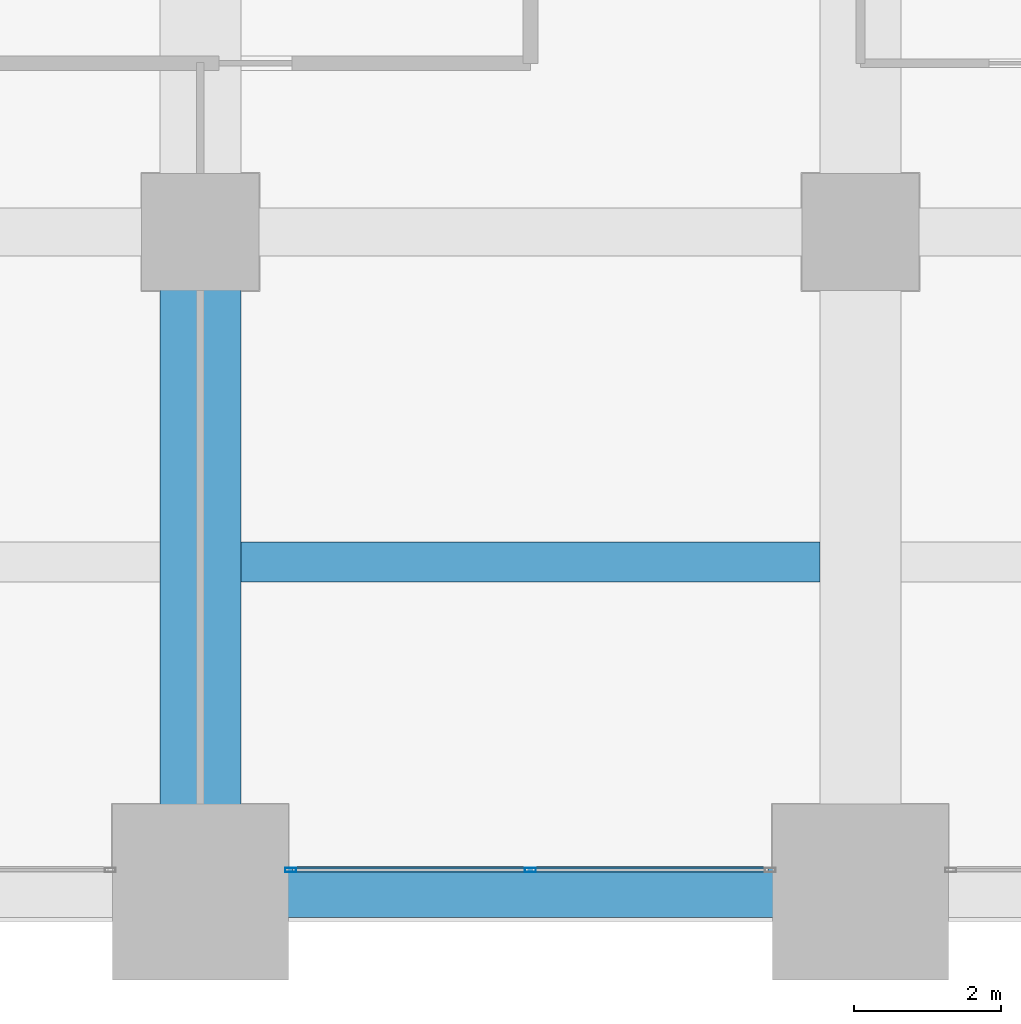
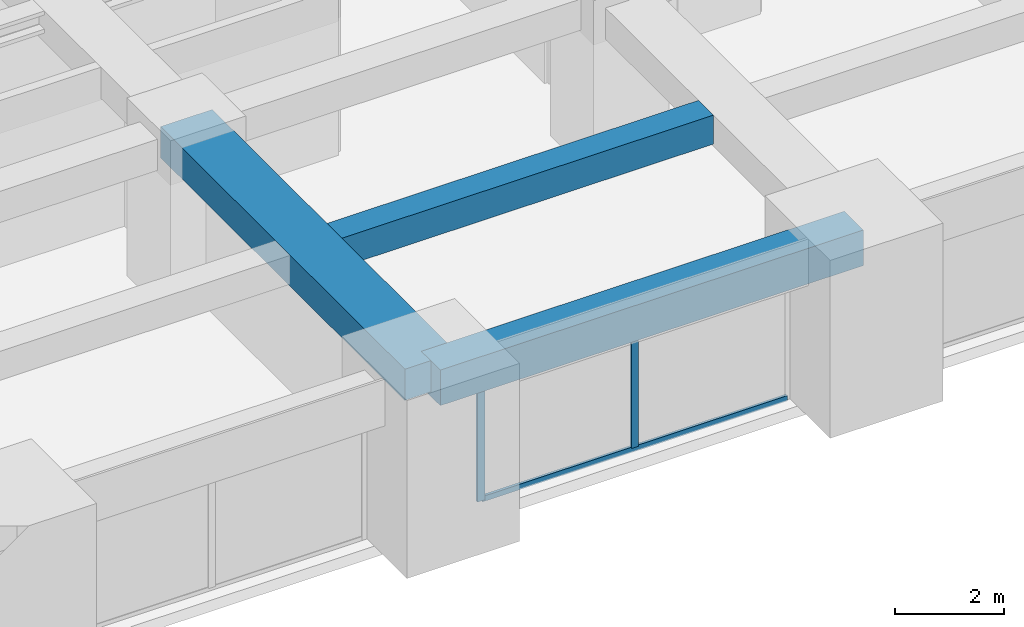
# One storey, part 7 of 32: 3 beams, 3 members, 1 element without a shape of its own.
"""IFC4 building model written with IfcOpenShell, lengths in metres."""

from ifc_helpers import new_model, si_unit, direction, frame, origin, origin_2d, place, context, subcontext, project, spatial, rectangle, hollow_rectangle, extrude, material, material_profile, profile_set, type_object, element, aggregate, save


model = new_model("IFC4")

# Units and contexts
model_context = context("Model", 3, precision=1e-05, world=origin(), true_north=direction((0.0, 1.0)))
body_context = subcontext(model_context, "Body", "Model", "MODEL_VIEW")
ifc_project = project(units=[si_unit("LENGTHUNIT", "METRE"), si_unit("AREAUNIT", "SQUARE_METRE"), si_unit("VOLUMEUNIT", "CUBIC_METRE"), si_unit("PLANEANGLEUNIT", "RADIAN"), si_unit("MASSUNIT", "GRAM", prefix="KILO")], contexts=[model_context])

# Site, building, storey
site_placement = place(None, origin())
site = spatial("IfcSite", under=ifc_project, at=site_placement, CompositionType="ELEMENT")
building_placement = place(site_placement, origin())
building = spatial("IfcBuilding", under=site, at=building_placement, Name="Zorevar Civic Tower", CompositionType="ELEMENT")
storey_placement = place(building_placement, frame((0.0, 0.0, 190.199951171875)))
storey = spatial("IfcBuildingStorey", under=building, at=storey_placement, Name="L46", CompositionType="ELEMENT", Elevation=190.199951171875)

# Beams
ifc_material_1 = material(Name="Concrete C50/60", Category="concrete")
ifc_material_profile_1 = material_profile(ifc_material_1, rectangle(XDim=1.10009765625, YDim=0.699951171875, at=origin_2d()), Name="RC 1100x700")
ifc_profile_set_1 = profile_set([ifc_material_profile_1], Name="Concrete C50/60")
beam_type_1 = type_object("IfcBeamType", Name="Beam RC 1100x700", PredefinedType="BEAM", material=ifc_profile_set_1)
beam_1_placement = place(storey_placement, frame((27.0, 0.0, 3.400146484375), z_axis=(0.0, 1.0, 0.0), x_axis=(-1.0, 0.0, 0.0)))
element("IfcBeam", 1, at=beam_1_placement, inside=storey, type_object=beam_type_1, Name="Girder L47", PredefinedType="BEAM", context=body_context, shape_type="SweptSolid", body=[
    extrude(rectangle(XDim=1.10009765625, YDim=0.699951171875, at=origin_2d()), origin(), (0.0, 0.0, 1.0), 9.0),
])
ifc_material_2 = material(Name="Concrete C50/60", Category="concrete")
ifc_material_profile_2 = material_profile(ifc_material_2, rectangle(XDim=0.550048828125, YDim=0.64990234375, at=origin_2d()), Name="RC 550x650")
ifc_profile_set_2 = profile_set([ifc_material_profile_2], Name="Concrete C50/60")
beam_type_2 = type_object("IfcBeamType", Name="Beam RC 550x650", PredefinedType="BEAM", material=ifc_profile_set_2)
beam_2_placement = place(storey_placement, frame((27.550048828125, 4.5, 3.425048828125), z_axis=(1.0, 0.0, 0.0), x_axis=(0.0, 1.0, 0.0)))
element("IfcBeam", 2, at=beam_2_placement, inside=storey, type_object=beam_type_2, Name="Secondary beam L47", PredefinedType="BEAM", context=body_context, shape_type="SweptSolid", body=[
    extrude(rectangle(XDim=0.550048828125, YDim=0.64990234375, at=origin_2d()), origin(), (0.0, 0.0, 1.0), 7.89990234375),
])

# Curtain wall, members
ifc_material_3 = material(Name="Dark grey solar-control glass in black aluminium frame", Category="aluminium")
curtain_wall_type = type_object("IfcCurtainWallType", Name="Curtain wall CW4 high zone", PredefinedType="NOTDEFINED", material=ifc_material_3)
curtain_wall_placement = place(storey_placement, origin())
curtain_wall = element("IfcCurtainWall", 3, at=curtain_wall_placement, inside=storey, type_object=curtain_wall_type, Name="CW4 L46", PredefinedType="NOTDEFINED")
ifc_material_4 = material(Name="Aluminium, black anodised", Category="aluminium")
ifc_material_profile_3 = material_profile(ifc_material_4, hollow_rectangle(XDim=0.06005859375, YDim=0.14990234375, WallThickness=0.00390625, at=origin_2d()), Name="AL 150x60x4")
ifc_profile_set_3 = profile_set([ifc_material_profile_3], Name="Aluminium, black anodised")
member_type_1 = type_object("IfcMemberType", Name="CW4 mullion AL 150x60x4", PredefinedType="MULLION", material=ifc_profile_set_3)
member_1_placement = place(storey_placement, frame((28.22998046875, 0.300048828125, 0.0), z_axis=(0.0, 0.0, 1.0), x_axis=(0.0, 1.0, 0.0)))
member_1 = element("IfcMember", 4, at=member_1_placement, type_object=member_type_1, Name="CW4 mullion 1", PredefinedType="MULLION", context=body_context, shape_type="SweptSolid", body=[
    extrude(hollow_rectangle(XDim=0.06005859375, YDim=0.14990234375, WallThickness=0.00390625, at=origin_2d()), origin(), (0.0, 0.0, 1.0), 2.949951171875),
])
member_2_placement = place(storey_placement, frame((31.5, 0.300048828125, 0.06005859375), z_axis=(0.0, 0.0, 1.0), x_axis=(0.0, 1.0, 0.0)))
member_2 = element("IfcMember", 5, at=member_2_placement, type_object=member_type_1, Name="CW4 mullion 2", PredefinedType="MULLION", context=body_context, shape_type="SweptSolid", body=[
    extrude(hollow_rectangle(XDim=0.06005859375, YDim=0.14990234375, WallThickness=0.00390625, at=origin_2d()), origin(), (0.0, 0.0, 1.0), 2.889892578125),
])
ifc_material_5 = material(Name="Aluminium, black anodised", Category="aluminium")
ifc_material_profile_4 = material_profile(ifc_material_5, hollow_rectangle(XDim=0.06005859375, YDim=0.1201171875, WallThickness=0.0029296875, at=origin_2d()), Name="AL 120x60x3")
ifc_profile_set_4 = profile_set([ifc_material_profile_4], Name="Aluminium, black anodised")
member_type_2 = type_object("IfcMemberType", Name="CW4 transom AL 120x60x3", PredefinedType="USERDEFINED", material=ifc_profile_set_4)
member_3_placement = place(storey_placement, frame((28.260009765625, 0.300048828125, 0.030029296875), z_axis=(1.0, 0.0, 0.0), x_axis=(0.0, 1.0, 0.0)))
member_3 = element("IfcMember", 6, at=member_3_placement, type_object=member_type_2, Name="CW4 sill transom", ObjectType="TRANSOM", PredefinedType="USERDEFINED", context=body_context, shape_type="SweptSolid", body=[
    extrude(hollow_rectangle(XDim=0.06005859375, YDim=0.1201171875, WallThickness=0.0029296875, at=origin_2d()), origin(), (0.0, 0.0, 1.0), 6.47998046875),
])
aggregate(curtain_wall, [member_1, member_2, member_3])

# Beam
ifc_material_6 = material(Name="Concrete C50/60", Category="concrete")
ifc_material_profile_5 = material_profile(ifc_material_6, rectangle(XDim=0.699951171875, YDim=0.800048828125, at=origin_2d()), Name="RC 700x800")
ifc_profile_set_5 = profile_set([ifc_material_profile_5], Name="Concrete C50/60")
beam_type_3 = type_object("IfcBeamType", Name="Edge beam RC 700x800", PredefinedType="SPANDREL", material=ifc_profile_set_5)
beam_3_placement = place(storey_placement, frame((27.0, 0.0, 3.35009765625), z_axis=(1.0, 0.0, 0.0), x_axis=(0.0, 1.0, 0.0)))
element("IfcBeam", 7, at=beam_3_placement, inside=storey, type_object=beam_type_3, Name="Edge beam L47", PredefinedType="SPANDREL", context=body_context, shape_type="SweptSolid", body=[
    extrude(rectangle(XDim=0.699951171875, YDim=0.800048828125, at=origin_2d()), origin(), (0.0, 0.0, 1.0), 9.0),
])

save(model, "model.ifc")
